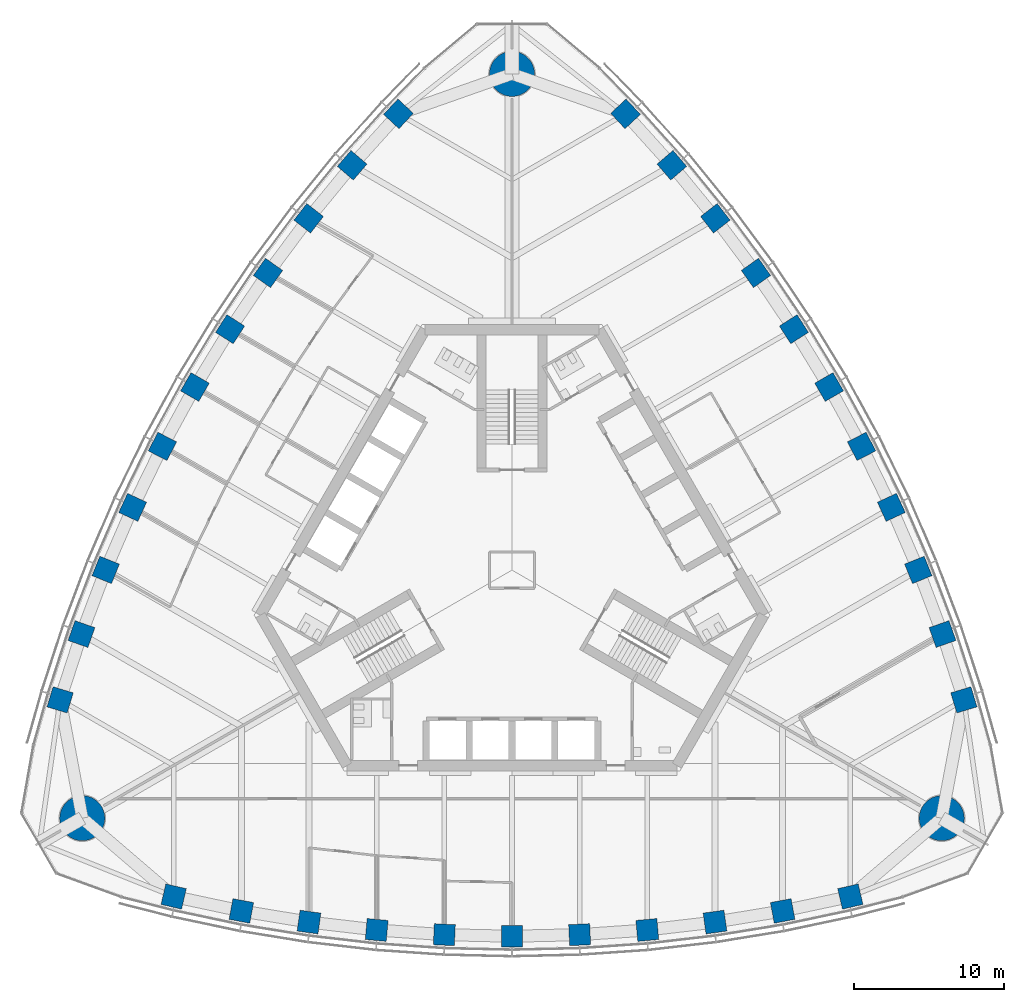
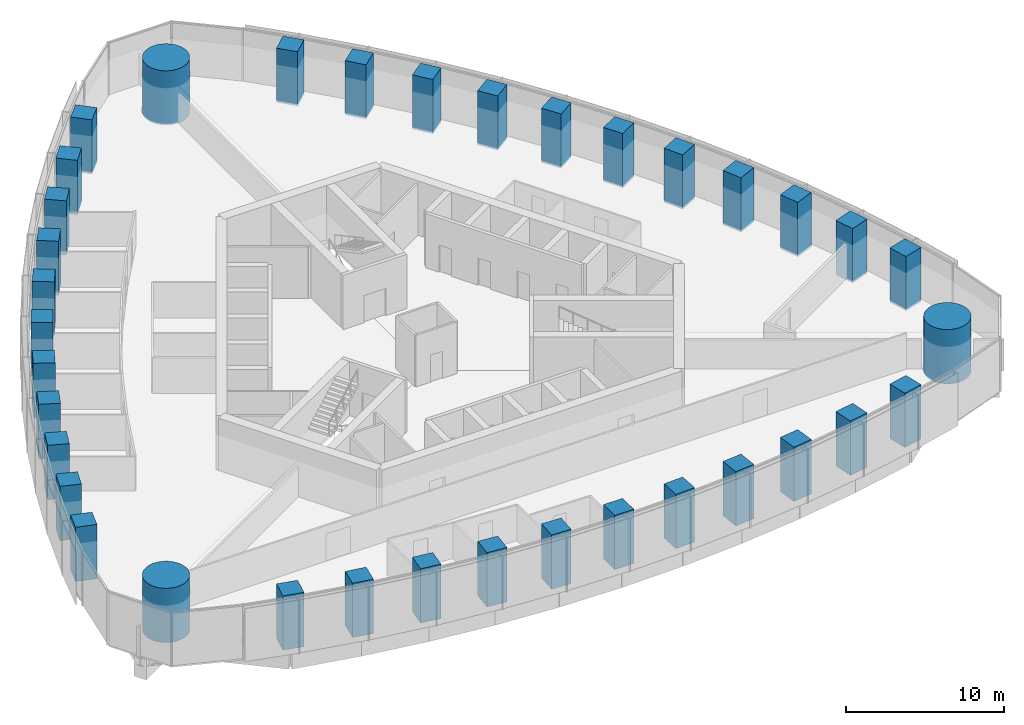
# One storey, part 1 of 19: 36 columns.
"""IFC4 building model written with IfcOpenShell, lengths in metres."""

from ifc_helpers import new_model, si_unit, direction, frame, origin, origin_2d, place, context, subcontext, project, spatial, rectangle, circle, extrude, material, material_profile, profile_set, type_object, element, save


model = new_model("IFC4")

# Units and contexts
model_context = context("Model", 3, precision=1e-05, world=origin(), true_north=direction((0.0, 1.0)))
body_context = subcontext(model_context, "Body", "Model", "MODEL_VIEW")
ifc_project = project(units=[si_unit("LENGTHUNIT", "METRE"), si_unit("AREAUNIT", "SQUARE_METRE"), si_unit("VOLUMEUNIT", "CUBIC_METRE"), si_unit("PLANEANGLEUNIT", "RADIAN"), si_unit("MASSUNIT", "GRAM", prefix="KILO")], contexts=[model_context])

# Site, building, storey
site_placement = place(None, origin())
site = spatial("IfcSite", under=ifc_project, at=site_placement, CompositionType="ELEMENT")
building_placement = place(site_placement, origin())
building = spatial("IfcBuilding", under=site, at=building_placement, Name="Trefoil Bronze Tower", CompositionType="ELEMENT")
storey_placement = place(building_placement, frame((0.0, 0.0, 248.5)))
storey = spatial("IfcBuildingStorey", under=building, at=storey_placement, Name="L57", CompositionType="ELEMENT", Elevation=248.5)

# Columns
ifc_material_1 = material(Name="Concrete B80", Category="concrete")
ifc_material_profile_1 = material_profile(ifc_material_1, circle(Radius=1.5, at=origin_2d()), Name="RC D3000")
ifc_profile_set_1 = profile_set([ifc_material_profile_1], Name="Concrete B80")
column_type_1 = type_object("IfcColumnType", Name="Mega column RC D3000", PredefinedType="COLUMN", material=ifc_profile_set_1)
for number, where, z_axis, x_axis, name in (
    (1, (28.578857421875, -16.5, 0.0), (0.0, 0.0, 1.0), (1.0, 0.0, 0.0), "Mega column K1 L57"),
    (2, (0.0, 33.0, 0.0), (0.0, 0.0, 1.0), (1.0, 0.0, 0.0), "Mega column K2 L57"),
    (3, (-28.578857421875, -16.5, 0.0), (0.0, 0.0, 1.0), (1.0, 0.0, 0.0), "Mega column K3 L57"),
):
    element("IfcColumn", number, at=place(storey_placement, frame(where, z_axis=z_axis, x_axis=x_axis)), inside=storey, type_object=column_type_1, Name=name, PredefinedType="COLUMN", context=body_context, shape_type="SweptSolid", body=[
        extrude(circle(Radius=1.5, at=origin_2d()), origin(), (0.0, 0.0, 1.0), 4.199951171875),
    ])
ifc_material_2 = material(Name="Concrete B80", Category="concrete")
ifc_material_profile_2 = material_profile(ifc_material_2, rectangle(XDim=1.39990234375, YDim=1.39990234375, at=origin_2d()), Name="RC 1400x1400")
ifc_profile_set_2 = profile_set([ifc_material_profile_2], Name="Concrete B80")
column_type_2 = type_object("IfcColumnType", Name="Tube column RC 1400x1400", PredefinedType="COLUMN", material=ifc_profile_set_2)
for number, where, z_axis, x_axis, name in (
    (4, (-22.5, -21.71044921875, 0.0), (0.0, 0.0, 1.0), (0.973875487093, -0.227082662569, 0.0), "Tube column F1/-5 L57"),
    (5, (-18.0, -22.6689453125, 0.0), (0.0, 0.0, 1.0), (0.982958917767, -0.183825368167, 0.0), "Tube column F1/-4 L57"),
    (6, (-13.5, -23.408447265625, 0.0), (0.0, 0.0, 1.0), (0.990450627582, -0.137867887204, 0.0), "Tube column F1/-3 L57"),
    (7, (-9.0, -23.932861328125, 0.0), (0.0, 0.0, 1.0), (0.995767189263, -0.091911396394, 0.0), "Tube column F1/-2 L57"),
    (8, (-4.5, -24.246337890625, 0.0), (0.0, 0.0, 1.0), (0.998943485952, -0.045955542372, 0.0), "Tube column F1/-1 L57"),
    (9, (0.0, -24.3505859375, 0.0), (0.0, 0.0, 1.0), (1.0, 0.0, 0.0), "Tube column F1/+0 L57"),
    (10, (4.5, -24.246337890625, 0.0), (0.0, 0.0, 1.0), (0.998943485952, 0.045955542372, 0.0), "Tube column F1/+1 L57"),
    (11, (9.0, -23.932861328125, 0.0), (0.0, 0.0, 1.0), (0.995767189263, 0.091911396394, 0.0), "Tube column F1/+2 L57"),
    (12, (13.5, -23.408447265625, 0.0), (0.0, 0.0, 1.0), (0.990450627582, 0.137867887204, 0.0), "Tube column F1/+3 L57"),
    (13, (18.0, -22.6689453125, 0.0), (0.0, 0.0, 1.0), (0.982958917767, 0.183825368167, 0.0), "Tube column F1/+4 L57"),
    (14, (22.5, -21.71044921875, 0.0), (0.0, 0.0, 1.0), (0.973875487093, 0.227082662569, 0.0), "Tube column F1/+5 L57"),
    (15, (30.052001953125, -8.63037109375, 0.0), (0.0, 0.0, 1.0), (-0.290278389002, 0.95694224323, 0.0), "Tube column F2/-5 L57"),
    (16, (28.632080078125, -4.25390625, 0.0), (0.0, 0.0, 1.0), (-0.332282020191, 0.943180077746, 0.0), "Tube column F2/-4 L57"),
    (17, (27.022216796875, 0.012939453125, 0.0), (0.0, 0.0, 1.0), (-0.375828221106, 0.926689348282, 0.0), "Tube column F2/-3 L57"),
    (18, (25.2265625, 4.17236328125, 0.0), (0.0, 0.0, 1.0), (-0.418285990457, 0.908315380354, 0.0), "Tube column F2/-2 L57"),
    (19, (23.248046875, 8.22607421875, 0.0), (0.0, 0.0, 1.0), (-0.459673075837, 0.888088206965, 0.0), "Tube column F2/-1 L57"),
    (20, (21.08837890625, 12.17529296875, 0.0), (0.0, 0.0, 1.0), (-0.5, 0.866025403784, 0.0), "Tube column F2/+0 L57"),
    (21, (18.748046875, 16.020263671875, 0.0), (0.0, 0.0, 1.0), (-0.539270410114, 0.842132664593, 0.0), "Tube column F2/+1 L57"),
    (22, (16.2265625, 19.7607421875, 0.0), (0.0, 0.0, 1.0), (-0.577481198806, 0.81640398396, 0.0), "Tube column F2/+2 L57"),
    (23, (13.522216796875, 23.3955078125, 0.0), (0.0, 0.0, 1.0), (-0.614622406476, 0.788821461078, 0.0), "Tube column F2/+3 L57"),
    (24, (10.632080078125, 26.923095703125, 0.0), (0.0, 0.0, 1.0), (-0.650676897576, 0.75935470958, 0.0), "Tube column F2/+4 L57"),
    (25, (7.552001953125, 30.3408203125, 0.0), (0.0, 0.0, 1.0), (-0.683597098091, 0.729859580661, 0.0), "Tube column F2/+5 L57"),
    (26, (-7.552001953125, 30.3408203125, 0.0), (0.0, 0.0, 1.0), (-0.683597098091, -0.729859580661, 0.0), "Tube column F3/-5 L57"),
    (27, (-10.632080078125, 26.923095703125, 0.0), (0.0, 0.0, 1.0), (-0.650676897576, -0.75935470958, 0.0), "Tube column F3/-4 L57"),
    (28, (-13.522216796875, 23.3955078125, 0.0), (0.0, 0.0, 1.0), (-0.614622406476, -0.788821461078, 0.0), "Tube column F3/-3 L57"),
    (29, (-16.2265625, 19.7607421875, 0.0), (0.0, 0.0, 1.0), (-0.577481198806, -0.81640398396, 0.0), "Tube column F3/-2 L57"),
    (30, (-18.748046875, 16.020263671875, 0.0), (0.0, 0.0, 1.0), (-0.539270410114, -0.842132664593, 0.0), "Tube column F3/-1 L57"),
    (31, (-21.08837890625, 12.17529296875, 0.0), (0.0, 0.0, 1.0), (-0.5, -0.866025403784, 0.0), "Tube column F3/+0 L57"),
    (32, (-23.248046875, 8.22607421875, 0.0), (0.0, 0.0, 1.0), (-0.459673075837, -0.888088206965, 0.0), "Tube column F3/+1 L57"),
    (33, (-25.2265625, 4.17236328125, 0.0), (0.0, 0.0, 1.0), (-0.418285990457, -0.908315380354, 0.0), "Tube column F3/+2 L57"),
    (34, (-27.022216796875, 0.012939453125, 0.0), (0.0, 0.0, 1.0), (-0.375828221106, -0.926689348282, 0.0), "Tube column F3/+3 L57"),
    (35, (-28.632080078125, -4.25390625, 0.0), (0.0, 0.0, 1.0), (-0.332282020191, -0.943180077746, 0.0), "Tube column F3/+4 L57"),
    (36, (-30.052001953125, -8.63037109375, 0.0), (0.0, 0.0, 1.0), (-0.290278389002, -0.95694224323, 0.0), "Tube column F3/+5 L57"),
):
    element("IfcColumn", number, at=place(storey_placement, frame(where, z_axis=z_axis, x_axis=x_axis)), inside=storey, type_object=column_type_2, Name=name, PredefinedType="COLUMN", context=body_context, shape_type="SweptSolid", body=[
        extrude(rectangle(XDim=1.39990234375, YDim=1.39990234375, at=origin_2d()), origin(), (0.0, 0.0, 1.0), 4.199951171875),
    ])

save(model, "model.ifc")
